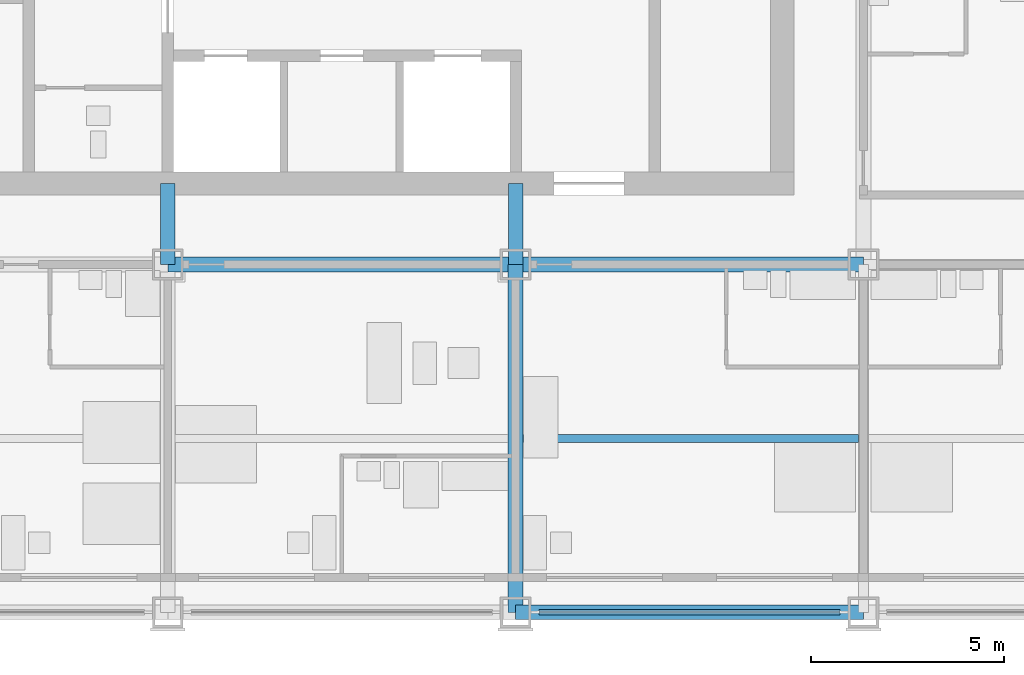
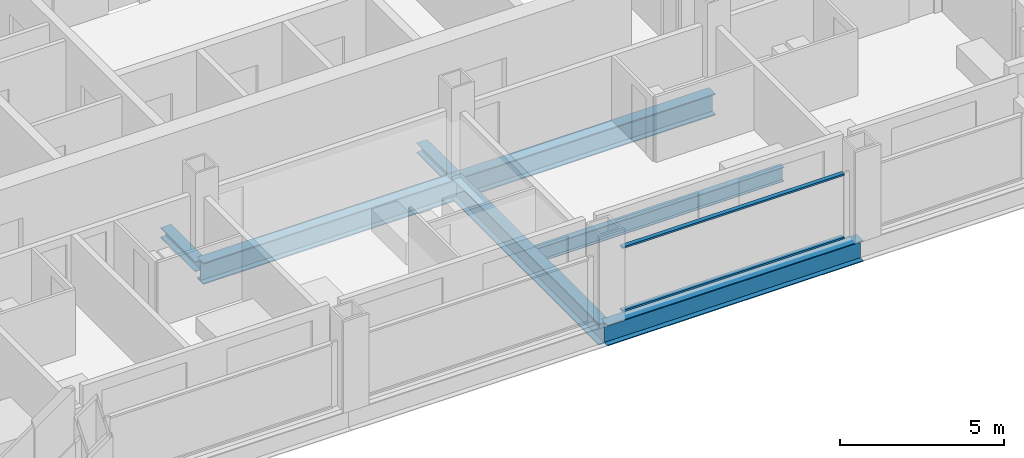
# One storey, part 3 of 13: 5 beams, 4 members, 1 element without a shape of its own.
"""IFC4 building model written with IfcOpenShell, lengths in metres."""

from ifc_helpers import new_model, si_unit, direction, frame, origin, origin_2d, place, context, subcontext, project, spatial, rectangle, i_section, extrude, material, material_profile, profile_set, type_object, element, aggregate, save


model = new_model("IFC4")

# Units and contexts
model_context = context("Model", 3, precision=1e-05, world=origin(), true_north=direction((0.0, 1.0)))
body_context = subcontext(model_context, "Body", "Model", "MODEL_VIEW")
ifc_project = project(units=[si_unit("LENGTHUNIT", "METRE"), si_unit("AREAUNIT", "SQUARE_METRE"), si_unit("VOLUMEUNIT", "CUBIC_METRE"), si_unit("PLANEANGLEUNIT", "RADIAN"), si_unit("MASSUNIT", "GRAM", prefix="KILO")], contexts=[model_context])

# Site, building, storey
site_placement = place(None, origin())
site = spatial("IfcSite", under=ifc_project, at=site_placement, CompositionType="ELEMENT")
building_placement = place(site_placement, origin())
building = spatial("IfcBuilding", under=site, at=building_placement, Name="Loomwork Tower", CompositionType="ELEMENT")
storey_placement = place(building_placement, frame((0.0, 0.0, 191.0)))
storey = spatial("IfcBuildingStorey", under=building, at=storey_placement, Name="L52", CompositionType="ELEMENT", Elevation=191.0)

# Beams
ifc_material_1 = material(Name="Steel ASTM A992", Category="steel")
ifc_material_profile_1 = material_profile(ifc_material_1, i_section(OverallWidth=0.383544921875, OverallDepth=0.794921875, WebThickness=0.02099609375, FlangeThickness=0.0380859375, at=origin_2d()), Name="W30x235")
ifc_profile_set_1 = profile_set([ifc_material_profile_1], Name="Steel ASTM A992")
beam_type_1 = type_object("IfcBeamType", Name="CORE FLANK GIRDER W30x235", PredefinedType="BEAM", material=ifc_profile_set_1)
for number, where, z_axis, x_axis, name in (
    (1, (18.0, 9.0, -0.597412109375), (1.0, 0.0, 0.0), (0.0, 1.0, 0.0), "Core Flank Girder E/4-E/5 L52"),
    (2, (27.0, 9.0, -0.597412109375), (1.0, 0.0, 0.0), (0.0, 1.0, 0.0), "Core Flank Girder E/5-E/6 L52"),
    (3, (27.0, 0.0, -0.597412109375), (0.0, 1.0, 0.0), (-1.0, 0.0, 0.0), "Core Flank Girder D/5-E/5 L52"),
):
    element("IfcBeam", number, at=place(storey_placement, frame(where, z_axis=z_axis, x_axis=x_axis)), inside=storey, type_object=beam_type_1, Name=name, PredefinedType="BEAM", context=body_context, shape_type="SweptSolid", body=[
        extrude(i_section(OverallWidth=0.383544921875, OverallDepth=0.794921875, WebThickness=0.02099609375, FlangeThickness=0.0380859375, at=origin_2d()), origin(), (0.0, 0.0, 1.0), 9.0),
    ])

# Members
ifc_material_2 = material(Name="Steel ASTM A992", Category="steel")
ifc_material_profile_2 = material_profile(ifc_material_2, i_section(OverallWidth=0.373291015625, OverallDepth=0.373291015625, WebThickness=0.016357421875, FlangeThickness=0.026123046875, at=origin_2d()), Name="W14x132")
ifc_profile_set_2 = profile_set([ifc_material_profile_2], Name="Steel ASTM A992")
member_type_1 = type_object("IfcMemberType", Name="CORE LINK STRUT W14x132", PredefinedType="STRUT", material=ifc_profile_set_2)
for number, where, z_axis, x_axis, name in (
    (4, (27.0, 9.0, -0.38671875), (0.0, 1.0, 0.0), (-1.0, 0.0, 0.0), "Core link strut E/5-27.000,11.100 L52"),
    (5, (18.0, 9.0, -0.38671875), (0.0, 1.0, 0.0), (-1.0, 0.0, 0.0), "Core link strut E/4-18.000,11.100 L52"),
):
    element("IfcMember", number, at=place(storey_placement, frame(where, z_axis=z_axis, x_axis=x_axis)), inside=storey, type_object=member_type_1, Name=name, PredefinedType="STRUT", context=body_context, shape_type="SweptSolid", body=[
        extrude(i_section(OverallWidth=0.373291015625, OverallDepth=0.373291015625, WebThickness=0.016357421875, FlangeThickness=0.026123046875, at=origin_2d()), origin(), (0.0, 0.0, 1.0), 2.10009765625),
    ])

# Beam
ifc_material_3 = material(Name="Steel ASTM A992", Category="steel")
ifc_material_profile_3 = material_profile(ifc_material_3, i_section(OverallWidth=0.2109375, OverallDepth=0.53857421875, WebThickness=0.011474609375, FlangeThickness=0.018798828125, at=origin_2d()), Name="W21x73")
ifc_profile_set_3 = profile_set([ifc_material_profile_3], Name="Steel ASTM A992")
beam_type_2 = type_object("IfcBeamType", Name="FLOOR JOIST W21x73", PredefinedType="JOIST", material=ifc_profile_set_3)
beam_1_placement = place(storey_placement, frame((27.19091796875, 4.5, -0.46923828125), z_axis=(1.0, 0.0, 0.0), x_axis=(0.0, 1.0, 0.0)))
element("IfcBeam", 6, at=beam_1_placement, inside=storey, type_object=beam_type_2, Name="Floor Joist 27.000,4.500-36.000,4.500 L52", PredefinedType="JOIST", context=body_context, shape_type="SweptSolid", body=[
    extrude(i_section(OverallWidth=0.2109375, OverallDepth=0.53857421875, WebThickness=0.011474609375, FlangeThickness=0.018798828125, at=origin_2d()), origin(), (0.0, 0.0, 1.0), 8.676025390625),
])

# Curtain wall, members
ifc_material_4 = material(Name="Aluminium curtain wall frame", Category="aluminium")
curtain_wall_type = type_object("IfcCurtainWallType", Name="Outer skin glazing hotel", PredefinedType="NOTDEFINED", material=ifc_material_4)
curtain_wall_placement = place(storey_placement, origin())
curtain_wall = element("IfcCurtainWall", 7, at=curtain_wall_placement, inside=storey, type_object=curtain_wall_type, Name="Outer skin glazing hotel cw/S-27", PredefinedType="NOTDEFINED")
ifc_material_5 = material(Name="Aluminium curtain wall frame", Category="aluminium")
ifc_material_profile_4 = material_profile(ifc_material_5, rectangle(XDim=0.14990234375, YDim=0.06494140625, at=origin_2d()), Name="AL 65x150")
ifc_profile_set_4 = profile_set([ifc_material_profile_4], Name="Aluminium curtain wall frame")
member_type_2 = type_object("IfcMemberType", Name="Outer skin glazing hotel transom", PredefinedType="USERDEFINED", material=ifc_profile_set_4)
member_1_placement = place(storey_placement, frame((27.60009765625, 0.0, 0.032470703125), z_axis=(1.0, 0.0, 0.0), x_axis=(0.0, 1.0, 0.0)))
member_1 = element("IfcMember", 8, at=member_1_placement, type_object=member_type_2, Name="CW1 transom 1.1", ObjectType="TRANSOM", PredefinedType="USERDEFINED", context=body_context, shape_type="SweptSolid", body=[
    extrude(rectangle(XDim=0.14990234375, YDim=0.06494140625, at=origin_2d()), origin(), (0.0, 0.0, 1.0), 7.7998046875),
])
member_2_placement = place(storey_placement, frame((27.60009765625, 0.0, 2.3876953125), z_axis=(1.0, 0.0, 0.0), x_axis=(0.0, 1.0, 0.0)))
member_2 = element("IfcMember", 9, at=member_2_placement, type_object=member_type_2, Name="CW1 transom 1.2", ObjectType="TRANSOM", PredefinedType="USERDEFINED", context=body_context, shape_type="SweptSolid", body=[
    extrude(rectangle(XDim=0.14990234375, YDim=0.06494140625, at=origin_2d()), origin(), (0.0, 0.0, 1.0), 7.7998046875),
])
aggregate(curtain_wall, [member_1, member_2])

# Beam
ifc_material_6 = material(Name="Steel ASTM A992", Category="steel")
ifc_material_profile_5 = material_profile(ifc_material_6, i_section(OverallWidth=0.381103515625, OverallDepth=0.77978515625, WebThickness=0.01806640625, FlangeThickness=0.0302734375, at=origin_2d()), Name="W30x191")
ifc_profile_set_5 = profile_set([ifc_material_profile_5], Name="Steel ASTM A992")
beam_type_3 = type_object("IfcBeamType", Name="SPANDREL GIRDER W30x191", PredefinedType="SPANDREL", material=ifc_profile_set_5)
beam_2_placement = place(storey_placement, frame((27.0, 0.0, -0.58984375), z_axis=(1.0, 0.0, 0.0), x_axis=(0.0, 1.0, 0.0)))
element("IfcBeam", 10, at=beam_2_placement, inside=storey, type_object=beam_type_3, Name="Spandrel Girder D/5-D/6 L52", PredefinedType="SPANDREL", context=body_context, shape_type="SweptSolid", body=[
    extrude(i_section(OverallWidth=0.381103515625, OverallDepth=0.77978515625, WebThickness=0.01806640625, FlangeThickness=0.0302734375, at=origin_2d()), origin(), (0.0, 0.0, 1.0), 9.0),
])

save(model, "model.ifc")
